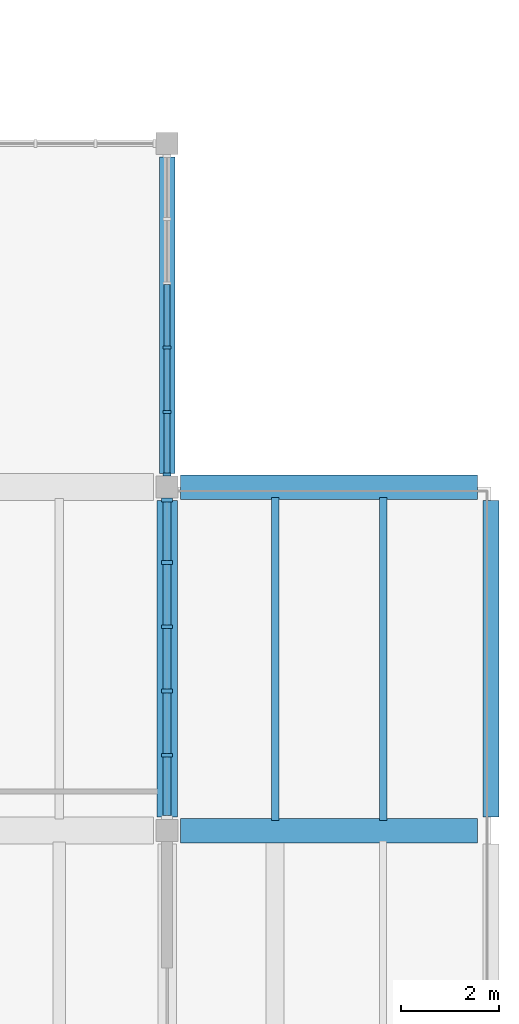
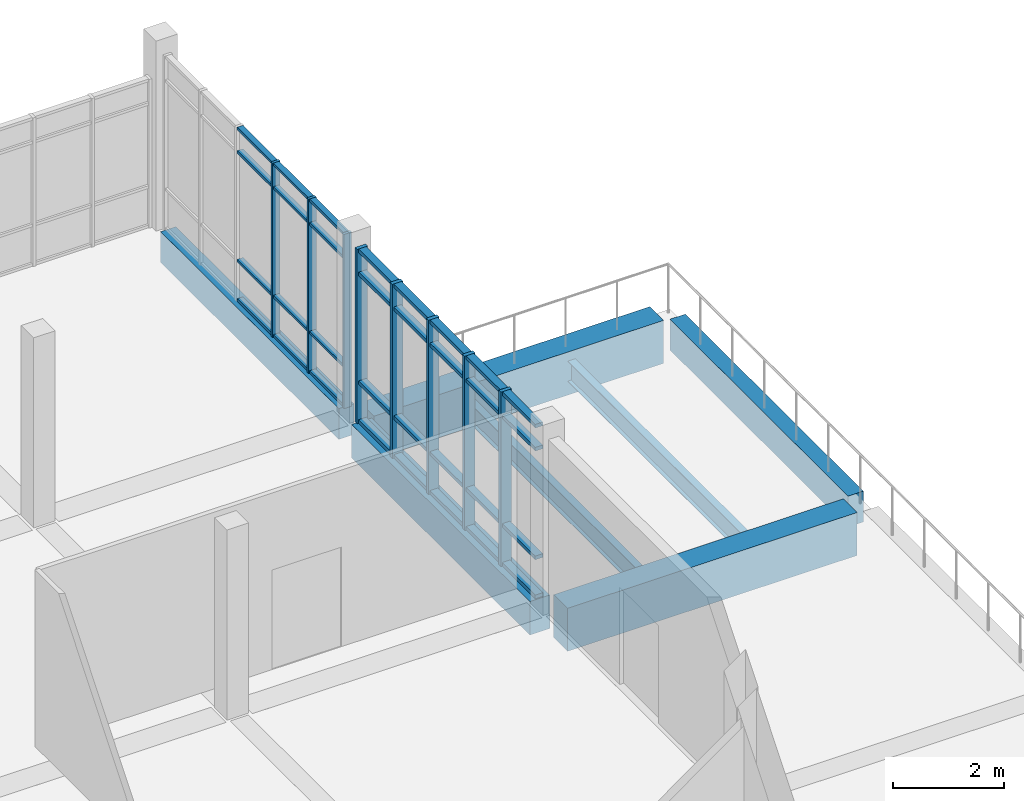
# One storey, part 12 of 92: 40 members, 7 beams, 2 elements without a shape of their own.
"""IFC4 building model written with IfcOpenShell, lengths in metres."""

from ifc_helpers import new_model, si_unit, direction, frame, origin, origin_2d, place, context, subcontext, project, spatial, rectangle, i_section, extrude, material, material_profile, profile_set, type_object, element, aggregate, save


model = new_model("IFC4")

# Units and contexts
model_context = context("Model", 3, precision=1e-05, world=origin(), true_north=direction((0.0, 1.0)))
body_context = subcontext(model_context, "Body", "Model", "MODEL_VIEW")
ifc_project = project(units=[si_unit("LENGTHUNIT", "METRE"), si_unit("AREAUNIT", "SQUARE_METRE"), si_unit("VOLUMEUNIT", "CUBIC_METRE"), si_unit("PLANEANGLEUNIT", "RADIAN"), si_unit("MASSUNIT", "GRAM", prefix="KILO")], contexts=[model_context])

# Site, building, storey
site_placement = place(None, origin())
site = spatial("IfcSite", under=ifc_project, at=site_placement, CompositionType="ELEMENT")
building_placement = place(site_placement, origin())
building = spatial("IfcBuilding", under=site, at=building_placement, Name="Ciguamira Faculty of Natural Sciences", CompositionType="ELEMENT")
storey_placement = place(building_placement, frame((0.0, 0.0, 16.800048828125)))
storey = spatial("IfcBuildingStorey", under=building, at=storey_placement, Name="L04", CompositionType="ELEMENT", Elevation=16.800048828125)

# Curtain wall, members
ifc_material_1 = material(Name="Anodized aluminium curtain wall", Category="aluminium")
curtain_wall_type_1 = type_object("IfcCurtainWallType", Name="CurtainWall_CW-01", PredefinedType="USERDEFINED", material=ifc_material_1)
curtain_wall_1_placement = place(storey_placement, origin())
curtain_wall_1 = element("IfcCurtainWall", 1, at=curtain_wall_1_placement, inside=storey, type_object=curtain_wall_type_1, Name="L04 unitised curtain wall 0133", ObjectType="UNITISED CURTAIN WALL", PredefinedType="USERDEFINED")
ifc_material_2 = material(Name="Anodized aluminium mullion", Category="aluminium")
ifc_material_profile_1 = material_profile(ifc_material_2, rectangle(XDim=0.06005859375, YDim=0.159912109375, at=origin_2d()), Name="ALU-MUL-60X160")
ifc_profile_set_1 = profile_set([ifc_material_profile_1], Name="Anodized aluminium mullion")
member_type_1 = type_object("IfcMemberType", Name="CWMullion_CWM-01", PredefinedType="MULLION", material=ifc_profile_set_1)
member_1_placement = place(storey_placement, frame((116.699951171875, 31.2548828125, 0.0), z_axis=(0.0, 0.0, 1.0), x_axis=(0.0, 1.0, 0.0)))
member_1 = element("IfcMember", 2, at=member_1_placement, type_object=member_type_1, Name="CW-01 mullion 1", PredefinedType="MULLION", context=body_context, shape_type="SweptSolid", body=[
    extrude(rectangle(XDim=0.06005859375, YDim=0.159912109375, at=origin_2d()), origin(), (0.0, 0.0, 1.0), 3.849853515625),
])
member_2_placement = place(storey_placement, frame((116.699951171875, 32.534912109375, 0.0), z_axis=(0.0, 0.0, 1.0), x_axis=(0.0, 1.0, 0.0)))
member_2 = element("IfcMember", 3, at=member_2_placement, type_object=member_type_1, Name="CW-01 mullion 2", PredefinedType="MULLION", context=body_context, shape_type="SweptSolid", body=[
    extrude(rectangle(XDim=0.06005859375, YDim=0.159912109375, at=origin_2d()), origin(), (0.0, 0.0, 1.0), 3.849853515625),
])
member_3_placement = place(storey_placement, frame((116.699951171875, 33.844970703125, 0.0), z_axis=(0.0, 0.0, 1.0), x_axis=(0.0, 1.0, 0.0)))
member_3 = element("IfcMember", 4, at=member_3_placement, type_object=member_type_1, Name="CW-01 mullion 3", PredefinedType="MULLION", context=body_context, shape_type="SweptSolid", body=[
    extrude(rectangle(XDim=0.06005859375, YDim=0.159912109375, at=origin_2d()), origin(), (0.0, 0.0, 1.0), 3.849853515625),
])

curtain_wall_type_2 = type_object("IfcCurtainWallType", Name="CurtainWall_CW-12", PredefinedType="USERDEFINED", material=ifc_material_1)
curtain_wall_2_placement = place(storey_placement, origin())
curtain_wall_2 = element("IfcCurtainWall", 5, at=curtain_wall_2_placement, inside=storey, type_object=curtain_wall_type_2, Name="L04 unitised curtain wall 0132", ObjectType="UNITISED CURTAIN WALL", PredefinedType="USERDEFINED")
ifc_material_profile_2 = material_profile(ifc_material_2, rectangle(XDim=0.080078125, YDim=0.219970703125, at=origin_2d()), Name="ALU-MUL-80X220")
ifc_profile_set_2 = profile_set([ifc_material_profile_2], Name="Anodized aluminium mullion")
member_type_2 = type_object("IfcMemberType", Name="CWMullion_CWM-03", PredefinedType="MULLION", material=ifc_profile_set_2)
member_4_placement = place(storey_placement, frame((116.699951171875, 25.534912109375, 0.0), z_axis=(0.0, 0.0, 1.0), x_axis=(0.0, 1.0, 0.0)))
member_4 = element("IfcMember", 6, at=member_4_placement, type_object=member_type_2, Name="CW-12 mullion 2", PredefinedType="MULLION", context=body_context, shape_type="SweptSolid", body=[
    extrude(rectangle(XDim=0.080078125, YDim=0.219970703125, at=origin_2d()), origin(), (0.0, 0.0, 1.0), 3.849853515625),
])
member_5_placement = place(storey_placement, frame((116.699951171875, 26.844970703125, 0.0), z_axis=(0.0, 0.0, 1.0), x_axis=(0.0, 1.0, 0.0)))
member_5 = element("IfcMember", 7, at=member_5_placement, type_object=member_type_2, Name="CW-12 mullion 3", PredefinedType="MULLION", context=body_context, shape_type="SweptSolid", body=[
    extrude(rectangle(XDim=0.080078125, YDim=0.219970703125, at=origin_2d()), origin(), (0.0, 0.0, 1.0), 3.849853515625),
])
member_6_placement = place(storey_placement, frame((116.699951171875, 28.155029296875, 0.0), z_axis=(0.0, 0.0, 1.0), x_axis=(0.0, 1.0, 0.0)))
member_6 = element("IfcMember", 8, at=member_6_placement, type_object=member_type_2, Name="CW-12 mullion 4", PredefinedType="MULLION", context=body_context, shape_type="SweptSolid", body=[
    extrude(rectangle(XDim=0.080078125, YDim=0.219970703125, at=origin_2d()), origin(), (0.0, 0.0, 1.0), 3.849853515625),
])
member_7_placement = place(storey_placement, frame((116.699951171875, 29.465087890625, 0.0), z_axis=(0.0, 0.0, 1.0), x_axis=(0.0, 1.0, 0.0)))
member_7 = element("IfcMember", 9, at=member_7_placement, type_object=member_type_2, Name="CW-12 mullion 5", PredefinedType="MULLION", context=body_context, shape_type="SweptSolid", body=[
    extrude(rectangle(XDim=0.080078125, YDim=0.219970703125, at=origin_2d()), origin(), (0.0, 0.0, 1.0), 3.849853515625),
])
member_8_placement = place(storey_placement, frame((116.699951171875, 30.735107421875, 0.0), z_axis=(0.0, 0.0, 1.0), x_axis=(0.0, 1.0, 0.0)))
member_8 = element("IfcMember", 10, at=member_8_placement, type_object=member_type_2, Name="CW-12 mullion 6", PredefinedType="MULLION", context=body_context, shape_type="SweptSolid", body=[
    extrude(rectangle(XDim=0.080078125, YDim=0.219970703125, at=origin_2d()), origin(), (0.0, 0.0, 1.0), 3.849853515625),
])

# Member
ifc_material_3 = material(Name="Anodized aluminium transom", Category="aluminium")
ifc_material_profile_3 = material_profile(ifc_material_3, rectangle(XDim=0.06005859375, YDim=0.1201171875, at=origin_2d()), Name="ALU-TRN-60X120")
ifc_profile_set_3 = profile_set([ifc_material_profile_3], Name="Anodized aluminium transom")
member_type_3 = type_object("IfcMemberType", Name="CWTransom_CWT-01", PredefinedType="USERDEFINED", material=ifc_profile_set_3)
member_9_placement = place(storey_placement, frame((116.699951171875, 31.284912109375, 0.030029296875), z_axis=(0.0, 1.0, 0.0), x_axis=(0.0, 0.0, 1.0)))
member_9 = element("IfcMember", 11, at=member_9_placement, type_object=member_type_3, Name="CW-01 transom 1.1", ObjectType="TRANSOM", PredefinedType="USERDEFINED", context=body_context, shape_type="SweptSolid", body=[
    extrude(rectangle(XDim=0.06005859375, YDim=0.1201171875, at=origin_2d()), origin(), (0.0, 0.0, 1.0), 1.219970703125),
])

member_10_placement = place(storey_placement, frame((116.699951171875, 31.284912109375, 0.89990234375), z_axis=(0.0, 1.0, 0.0), x_axis=(0.0, 0.0, 1.0)))
member_10 = element("IfcMember", 12, at=member_10_placement, type_object=member_type_3, Name="CW-01 transom 1.2", ObjectType="TRANSOM", PredefinedType="USERDEFINED", context=body_context, shape_type="SweptSolid", body=[
    extrude(rectangle(XDim=0.06005859375, YDim=0.1201171875, at=origin_2d()), origin(), (0.0, 0.0, 1.0), 1.219970703125),
])

member_11_placement = place(storey_placement, frame((116.699951171875, 31.284912109375, 3.300048828125), z_axis=(0.0, 1.0, 0.0), x_axis=(0.0, 0.0, 1.0)))
member_11 = element("IfcMember", 13, at=member_11_placement, type_object=member_type_3, Name="CW-01 transom 1.3", ObjectType="TRANSOM", PredefinedType="USERDEFINED", context=body_context, shape_type="SweptSolid", body=[
    extrude(rectangle(XDim=0.06005859375, YDim=0.1201171875, at=origin_2d()), origin(), (0.0, 0.0, 1.0), 1.219970703125),
])

member_12_placement = place(storey_placement, frame((116.699951171875, 31.284912109375, 3.820068359375), z_axis=(0.0, 1.0, 0.0), x_axis=(0.0, 0.0, 1.0)))
member_12 = element("IfcMember", 14, at=member_12_placement, type_object=member_type_3, Name="CW-01 transom 1.4", ObjectType="TRANSOM", PredefinedType="USERDEFINED", context=body_context, shape_type="SweptSolid", body=[
    extrude(rectangle(XDim=0.06005859375, YDim=0.1201171875, at=origin_2d()), origin(), (0.0, 0.0, 1.0), 1.219970703125),
])

member_13_placement = place(storey_placement, frame((116.699951171875, 32.56494140625, 0.030029296875), z_axis=(0.0, 1.0, 0.0), x_axis=(0.0, 0.0, 1.0)))
member_13 = element("IfcMember", 15, at=member_13_placement, type_object=member_type_3, Name="CW-01 transom 2.1", ObjectType="TRANSOM", PredefinedType="USERDEFINED", context=body_context, shape_type="SweptSolid", body=[
    extrude(rectangle(XDim=0.06005859375, YDim=0.1201171875, at=origin_2d()), origin(), (0.0, 0.0, 1.0), 1.25),
])

member_14_placement = place(storey_placement, frame((116.699951171875, 32.56494140625, 0.89990234375), z_axis=(0.0, 1.0, 0.0), x_axis=(0.0, 0.0, 1.0)))
member_14 = element("IfcMember", 16, at=member_14_placement, type_object=member_type_3, Name="CW-01 transom 2.2", ObjectType="TRANSOM", PredefinedType="USERDEFINED", context=body_context, shape_type="SweptSolid", body=[
    extrude(rectangle(XDim=0.06005859375, YDim=0.1201171875, at=origin_2d()), origin(), (0.0, 0.0, 1.0), 1.25),
])

member_15_placement = place(storey_placement, frame((116.699951171875, 32.56494140625, 3.300048828125), z_axis=(0.0, 1.0, 0.0), x_axis=(0.0, 0.0, 1.0)))
member_15 = element("IfcMember", 17, at=member_15_placement, type_object=member_type_3, Name="CW-01 transom 2.3", ObjectType="TRANSOM", PredefinedType="USERDEFINED", context=body_context, shape_type="SweptSolid", body=[
    extrude(rectangle(XDim=0.06005859375, YDim=0.1201171875, at=origin_2d()), origin(), (0.0, 0.0, 1.0), 1.25),
])

member_16_placement = place(storey_placement, frame((116.699951171875, 32.56494140625, 3.820068359375), z_axis=(0.0, 1.0, 0.0), x_axis=(0.0, 0.0, 1.0)))
member_16 = element("IfcMember", 18, at=member_16_placement, type_object=member_type_3, Name="CW-01 transom 2.4", ObjectType="TRANSOM", PredefinedType="USERDEFINED", context=body_context, shape_type="SweptSolid", body=[
    extrude(rectangle(XDim=0.06005859375, YDim=0.1201171875, at=origin_2d()), origin(), (0.0, 0.0, 1.0), 1.25),
])

member_17_placement = place(storey_placement, frame((116.699951171875, 33.875, 0.030029296875), z_axis=(0.0, 1.0, 0.0), x_axis=(0.0, 0.0, 1.0)))
member_17 = element("IfcMember", 19, at=member_17_placement, type_object=member_type_3, Name="CW-01 transom 3.1", ObjectType="TRANSOM", PredefinedType="USERDEFINED", context=body_context, shape_type="SweptSolid", body=[
    extrude(rectangle(XDim=0.06005859375, YDim=0.1201171875, at=origin_2d()), origin(), (0.0, 0.0, 1.0), 1.25),
])

member_18_placement = place(storey_placement, frame((116.699951171875, 33.875, 0.89990234375), z_axis=(0.0, 1.0, 0.0), x_axis=(0.0, 0.0, 1.0)))
member_18 = element("IfcMember", 20, at=member_18_placement, type_object=member_type_3, Name="CW-01 transom 3.2", ObjectType="TRANSOM", PredefinedType="USERDEFINED", context=body_context, shape_type="SweptSolid", body=[
    extrude(rectangle(XDim=0.06005859375, YDim=0.1201171875, at=origin_2d()), origin(), (0.0, 0.0, 1.0), 1.25),
])

member_19_placement = place(storey_placement, frame((116.699951171875, 33.875, 3.300048828125), z_axis=(0.0, 1.0, 0.0), x_axis=(0.0, 0.0, 1.0)))
member_19 = element("IfcMember", 21, at=member_19_placement, type_object=member_type_3, Name="CW-01 transom 3.3", ObjectType="TRANSOM", PredefinedType="USERDEFINED", context=body_context, shape_type="SweptSolid", body=[
    extrude(rectangle(XDim=0.06005859375, YDim=0.1201171875, at=origin_2d()), origin(), (0.0, 0.0, 1.0), 1.25),
])

member_20_placement = place(storey_placement, frame((116.699951171875, 33.875, 3.820068359375), z_axis=(0.0, 1.0, 0.0), x_axis=(0.0, 0.0, 1.0)))
member_20 = element("IfcMember", 22, at=member_20_placement, type_object=member_type_3, Name="CW-01 transom 3.4", ObjectType="TRANSOM", PredefinedType="USERDEFINED", context=body_context, shape_type="SweptSolid", body=[
    extrude(rectangle(XDim=0.06005859375, YDim=0.1201171875, at=origin_2d()), origin(), (0.0, 0.0, 1.0), 1.25),
])

aggregate(curtain_wall_1, [member_1, member_2, member_3, member_9, member_10, member_11, member_12, member_13, member_14, member_15, member_16, member_17, member_18, member_19, member_20])

ifc_material_profile_4 = material_profile(ifc_material_3, rectangle(XDim=0.080078125, YDim=0.159912109375, at=origin_2d()), Name="ALU-TRN-80X160")
ifc_profile_set_4 = profile_set([ifc_material_profile_4], Name="Anodized aluminium transom")
member_type_4 = type_object("IfcMemberType", Name="CWTransom_CWT-03", PredefinedType="USERDEFINED", material=ifc_profile_set_4)
member_21_placement = place(storey_placement, frame((116.699951171875, 24.304931640625, 0.0400390625), z_axis=(0.0, 1.0, 0.0), x_axis=(0.0, 0.0, 1.0)))
member_21 = element("IfcMember", 23, at=member_21_placement, type_object=member_type_4, Name="CW-12 transom 1.1", ObjectType="TRANSOM", PredefinedType="USERDEFINED", context=body_context, shape_type="SweptSolid", body=[
    extrude(rectangle(XDim=0.080078125, YDim=0.159912109375, at=origin_2d()), origin(), (0.0, 0.0, 1.0), 1.190185546875),
])

member_22_placement = place(storey_placement, frame((116.699951171875, 24.304931640625, 0.89990234375), z_axis=(0.0, 1.0, 0.0), x_axis=(0.0, 0.0, 1.0)))
member_22 = element("IfcMember", 24, at=member_22_placement, type_object=member_type_4, Name="CW-12 transom 1.2", ObjectType="TRANSOM", PredefinedType="USERDEFINED", context=body_context, shape_type="SweptSolid", body=[
    extrude(rectangle(XDim=0.080078125, YDim=0.159912109375, at=origin_2d()), origin(), (0.0, 0.0, 1.0), 1.190185546875),
])

member_23_placement = place(storey_placement, frame((116.699951171875, 24.304931640625, 3.300048828125), z_axis=(0.0, 1.0, 0.0), x_axis=(0.0, 0.0, 1.0)))
member_23 = element("IfcMember", 25, at=member_23_placement, type_object=member_type_4, Name="CW-12 transom 1.3", ObjectType="TRANSOM", PredefinedType="USERDEFINED", context=body_context, shape_type="SweptSolid", body=[
    extrude(rectangle(XDim=0.080078125, YDim=0.159912109375, at=origin_2d()), origin(), (0.0, 0.0, 1.0), 1.190185546875),
])

member_24_placement = place(storey_placement, frame((116.699951171875, 24.304931640625, 3.81005859375), z_axis=(0.0, 1.0, 0.0), x_axis=(0.0, 0.0, 1.0)))
member_24 = element("IfcMember", 26, at=member_24_placement, type_object=member_type_4, Name="CW-12 transom 1.4", ObjectType="TRANSOM", PredefinedType="USERDEFINED", context=body_context, shape_type="SweptSolid", body=[
    extrude(rectangle(XDim=0.080078125, YDim=0.159912109375, at=origin_2d()), origin(), (0.0, 0.0, 1.0), 1.190185546875),
])

member_25_placement = place(storey_placement, frame((116.699951171875, 25.574951171875, 0.0400390625), z_axis=(0.0, 1.0, 0.0), x_axis=(0.0, 0.0, 1.0)))
member_25 = element("IfcMember", 27, at=member_25_placement, type_object=member_type_4, Name="CW-12 transom 2.1", ObjectType="TRANSOM", PredefinedType="USERDEFINED", context=body_context, shape_type="SweptSolid", body=[
    extrude(rectangle(XDim=0.080078125, YDim=0.159912109375, at=origin_2d()), origin(), (0.0, 0.0, 1.0), 1.22998046875),
])

member_26_placement = place(storey_placement, frame((116.699951171875, 25.574951171875, 0.89990234375), z_axis=(0.0, 1.0, 0.0), x_axis=(0.0, 0.0, 1.0)))
member_26 = element("IfcMember", 28, at=member_26_placement, type_object=member_type_4, Name="CW-12 transom 2.2", ObjectType="TRANSOM", PredefinedType="USERDEFINED", context=body_context, shape_type="SweptSolid", body=[
    extrude(rectangle(XDim=0.080078125, YDim=0.159912109375, at=origin_2d()), origin(), (0.0, 0.0, 1.0), 1.22998046875),
])

member_27_placement = place(storey_placement, frame((116.699951171875, 25.574951171875, 3.300048828125), z_axis=(0.0, 1.0, 0.0), x_axis=(0.0, 0.0, 1.0)))
member_27 = element("IfcMember", 29, at=member_27_placement, type_object=member_type_4, Name="CW-12 transom 2.3", ObjectType="TRANSOM", PredefinedType="USERDEFINED", context=body_context, shape_type="SweptSolid", body=[
    extrude(rectangle(XDim=0.080078125, YDim=0.159912109375, at=origin_2d()), origin(), (0.0, 0.0, 1.0), 1.22998046875),
])

member_28_placement = place(storey_placement, frame((116.699951171875, 25.574951171875, 3.81005859375), z_axis=(0.0, 1.0, 0.0), x_axis=(0.0, 0.0, 1.0)))
member_28 = element("IfcMember", 30, at=member_28_placement, type_object=member_type_4, Name="CW-12 transom 2.4", ObjectType="TRANSOM", PredefinedType="USERDEFINED", context=body_context, shape_type="SweptSolid", body=[
    extrude(rectangle(XDim=0.080078125, YDim=0.159912109375, at=origin_2d()), origin(), (0.0, 0.0, 1.0), 1.22998046875),
])

member_29_placement = place(storey_placement, frame((116.699951171875, 26.885009765625, 0.0400390625), z_axis=(0.0, 1.0, 0.0), x_axis=(0.0, 0.0, 1.0)))
member_29 = element("IfcMember", 31, at=member_29_placement, type_object=member_type_4, Name="CW-12 transom 3.1", ObjectType="TRANSOM", PredefinedType="USERDEFINED", context=body_context, shape_type="SweptSolid", body=[
    extrude(rectangle(XDim=0.080078125, YDim=0.159912109375, at=origin_2d()), origin(), (0.0, 0.0, 1.0), 1.22998046875),
])

member_30_placement = place(storey_placement, frame((116.699951171875, 26.885009765625, 0.89990234375), z_axis=(0.0, 1.0, 0.0), x_axis=(0.0, 0.0, 1.0)))
member_30 = element("IfcMember", 32, at=member_30_placement, type_object=member_type_4, Name="CW-12 transom 3.2", ObjectType="TRANSOM", PredefinedType="USERDEFINED", context=body_context, shape_type="SweptSolid", body=[
    extrude(rectangle(XDim=0.080078125, YDim=0.159912109375, at=origin_2d()), origin(), (0.0, 0.0, 1.0), 1.22998046875),
])

member_31_placement = place(storey_placement, frame((116.699951171875, 26.885009765625, 3.300048828125), z_axis=(0.0, 1.0, 0.0), x_axis=(0.0, 0.0, 1.0)))
member_31 = element("IfcMember", 33, at=member_31_placement, type_object=member_type_4, Name="CW-12 transom 3.3", ObjectType="TRANSOM", PredefinedType="USERDEFINED", context=body_context, shape_type="SweptSolid", body=[
    extrude(rectangle(XDim=0.080078125, YDim=0.159912109375, at=origin_2d()), origin(), (0.0, 0.0, 1.0), 1.22998046875),
])

member_32_placement = place(storey_placement, frame((116.699951171875, 26.885009765625, 3.81005859375), z_axis=(0.0, 1.0, 0.0), x_axis=(0.0, 0.0, 1.0)))
member_32 = element("IfcMember", 34, at=member_32_placement, type_object=member_type_4, Name="CW-12 transom 3.4", ObjectType="TRANSOM", PredefinedType="USERDEFINED", context=body_context, shape_type="SweptSolid", body=[
    extrude(rectangle(XDim=0.080078125, YDim=0.159912109375, at=origin_2d()), origin(), (0.0, 0.0, 1.0), 1.22998046875),
])

member_33_placement = place(storey_placement, frame((116.699951171875, 28.195068359375, 0.0400390625), z_axis=(0.0, 1.0, 0.0), x_axis=(0.0, 0.0, 1.0)))
member_33 = element("IfcMember", 35, at=member_33_placement, type_object=member_type_4, Name="CW-12 transom 4.1", ObjectType="TRANSOM", PredefinedType="USERDEFINED", context=body_context, shape_type="SweptSolid", body=[
    extrude(rectangle(XDim=0.080078125, YDim=0.159912109375, at=origin_2d()), origin(), (0.0, 0.0, 1.0), 1.22998046875),
])

member_34_placement = place(storey_placement, frame((116.699951171875, 28.195068359375, 0.89990234375), z_axis=(0.0, 1.0, 0.0), x_axis=(0.0, 0.0, 1.0)))
member_34 = element("IfcMember", 36, at=member_34_placement, type_object=member_type_4, Name="CW-12 transom 4.2", ObjectType="TRANSOM", PredefinedType="USERDEFINED", context=body_context, shape_type="SweptSolid", body=[
    extrude(rectangle(XDim=0.080078125, YDim=0.159912109375, at=origin_2d()), origin(), (0.0, 0.0, 1.0), 1.22998046875),
])

member_35_placement = place(storey_placement, frame((116.699951171875, 28.195068359375, 3.300048828125), z_axis=(0.0, 1.0, 0.0), x_axis=(0.0, 0.0, 1.0)))
member_35 = element("IfcMember", 37, at=member_35_placement, type_object=member_type_4, Name="CW-12 transom 4.3", ObjectType="TRANSOM", PredefinedType="USERDEFINED", context=body_context, shape_type="SweptSolid", body=[
    extrude(rectangle(XDim=0.080078125, YDim=0.159912109375, at=origin_2d()), origin(), (0.0, 0.0, 1.0), 1.22998046875),
])

member_36_placement = place(storey_placement, frame((116.699951171875, 28.195068359375, 3.81005859375), z_axis=(0.0, 1.0, 0.0), x_axis=(0.0, 0.0, 1.0)))
member_36 = element("IfcMember", 38, at=member_36_placement, type_object=member_type_4, Name="CW-12 transom 4.4", ObjectType="TRANSOM", PredefinedType="USERDEFINED", context=body_context, shape_type="SweptSolid", body=[
    extrude(rectangle(XDim=0.080078125, YDim=0.159912109375, at=origin_2d()), origin(), (0.0, 0.0, 1.0), 1.22998046875),
])

member_37_placement = place(storey_placement, frame((116.699951171875, 29.5048828125, 0.0400390625), z_axis=(0.0, 1.0, 0.0), x_axis=(0.0, 0.0, 1.0)))
member_37 = element("IfcMember", 39, at=member_37_placement, type_object=member_type_4, Name="CW-12 transom 5.1", ObjectType="TRANSOM", PredefinedType="USERDEFINED", context=body_context, shape_type="SweptSolid", body=[
    extrude(rectangle(XDim=0.080078125, YDim=0.159912109375, at=origin_2d()), origin(), (0.0, 0.0, 1.0), 1.190185546875),
])

member_38_placement = place(storey_placement, frame((116.699951171875, 29.5048828125, 0.89990234375), z_axis=(0.0, 1.0, 0.0), x_axis=(0.0, 0.0, 1.0)))
member_38 = element("IfcMember", 40, at=member_38_placement, type_object=member_type_4, Name="CW-12 transom 5.2", ObjectType="TRANSOM", PredefinedType="USERDEFINED", context=body_context, shape_type="SweptSolid", body=[
    extrude(rectangle(XDim=0.080078125, YDim=0.159912109375, at=origin_2d()), origin(), (0.0, 0.0, 1.0), 1.190185546875),
])

member_39_placement = place(storey_placement, frame((116.699951171875, 29.5048828125, 3.300048828125), z_axis=(0.0, 1.0, 0.0), x_axis=(0.0, 0.0, 1.0)))
member_39 = element("IfcMember", 41, at=member_39_placement, type_object=member_type_4, Name="CW-12 transom 5.3", ObjectType="TRANSOM", PredefinedType="USERDEFINED", context=body_context, shape_type="SweptSolid", body=[
    extrude(rectangle(XDim=0.080078125, YDim=0.159912109375, at=origin_2d()), origin(), (0.0, 0.0, 1.0), 1.190185546875),
])

member_40_placement = place(storey_placement, frame((116.699951171875, 29.5048828125, 3.81005859375), z_axis=(0.0, 1.0, 0.0), x_axis=(0.0, 0.0, 1.0)))
member_40 = element("IfcMember", 42, at=member_40_placement, type_object=member_type_4, Name="CW-12 transom 5.4", ObjectType="TRANSOM", PredefinedType="USERDEFINED", context=body_context, shape_type="SweptSolid", body=[
    extrude(rectangle(XDim=0.080078125, YDim=0.159912109375, at=origin_2d()), origin(), (0.0, 0.0, 1.0), 1.190185546875),
])

aggregate(curtain_wall_2, [member_4, member_5, member_6, member_7, member_8, member_21, member_22, member_23, member_24, member_25, member_26, member_27, member_28, member_29, member_30, member_31, member_32, member_33, member_34, member_35, member_36, member_37, member_38, member_39, member_40])

# Beams
ifc_material_4 = material(Name="Concrete C40/50", Category="concrete")
ifc_material_profile_5 = material_profile(ifc_material_4, rectangle(XDim=0.5, YDim=0.949951171875, at=origin_2d()), Name="RC-BM-500X950")
ifc_profile_set_5 = profile_set([ifc_material_profile_5], Name="Concrete C40/50")
beam_type_1 = type_object("IfcBeamType", Name="RCBeam_BG-02_RC-BM-500X950", PredefinedType="BEAM", material=ifc_profile_set_5)
for number, where, z_axis, x_axis, name in (
    (43, (116.97509765625, 24.0, -0.47509765625), (1.0, 0.0, 0.0), (0.0, 1.0, 0.0), "L04 RC girder EW-1350"),
    (44, (116.97509765625, 31.0, -0.47509765625), (1.0, 0.0, 0.0), (0.0, 1.0, 0.0), "L04 RC girder EW-1361"),
):
    element("IfcBeam", number, at=place(storey_placement, frame(where, z_axis=z_axis, x_axis=x_axis)), inside=storey, type_object=beam_type_1, Name=name, PredefinedType="BEAM", context=body_context, shape_type="SweptSolid", body=[
        extrude(rectangle(XDim=0.5, YDim=0.949951171875, at=origin_2d()), origin(), (0.0, 0.0, 1.0), 6.0498046875),
    ])
ifc_material_profile_6 = material_profile(ifc_material_4, rectangle(XDim=0.419921875, YDim=0.739990234375, at=origin_2d()), Name="RC-BM-420X740")
ifc_profile_set_6 = profile_set([ifc_material_profile_6], Name="Concrete C40/50")
beam_type_2 = type_object("IfcBeamType", Name="RCBeam_BG-07_RC-BM-420X740", PredefinedType="BEAM", material=ifc_profile_set_6)
beam_1_placement = place(storey_placement, frame((116.699951171875, 24.27490234375, -0.3701171875), z_axis=(0.0, 1.0, 0.0), x_axis=(-1.0, 0.0, 0.0)))
element("IfcBeam", 45, at=beam_1_placement, inside=storey, type_object=beam_type_2, Name="L04 girder NS-1436", PredefinedType="BEAM", context=body_context, shape_type="SweptSolid", body=[
    extrude(rectangle(XDim=0.419921875, YDim=0.739990234375, at=origin_2d()), origin(), (0.0, 0.0, 1.0), 6.4501953125),
])
ifc_material_5 = material(Name="Precast concrete C40/50", Category="concrete")
ifc_material_profile_7 = material_profile(ifc_material_5, rectangle(XDim=0.320068359375, YDim=0.679931640625, at=origin_2d()), Name="RC-SP-320X680")
ifc_profile_set_7 = profile_set([ifc_material_profile_7], Name="Precast concrete C40/50")
beam_type_3 = type_object("IfcBeamType", Name="RCBeam_SP-02_RC-SP-320X680", PredefinedType="SPANDREL", material=ifc_profile_set_7)
for number, where, z_axis, x_axis, name in (
    (46, (116.699951171875, 31.27490234375, -0.340087890625), (0.0, 1.0, 0.0), (-1.0, 0.0, 0.0), "L04 girder NS-1437"),
    (47, (123.300048828125, 24.27490234375, -0.340087890625), (0.0, 1.0, 0.0), (-1.0, 0.0, 0.0), "L04 girder NS-1440"),
):
    element("IfcBeam", number, at=place(storey_placement, frame(where, z_axis=z_axis, x_axis=x_axis)), inside=storey, type_object=beam_type_3, Name=name, PredefinedType="SPANDREL", context=body_context, shape_type="SweptSolid", body=[
        extrude(rectangle(XDim=0.320068359375, YDim=0.679931640625, at=origin_2d()), origin(), (0.0, 0.0, 1.0), 6.4501953125),
    ])
ifc_material_6 = material(Name="Steel ASTM A992 Grade 50", Category="steel")
ifc_material_profile_8 = material_profile(ifc_material_6, i_section(OverallWidth=0.15234375, OverallDepth=0.449462890625, WebThickness=0.007568359375, FlangeThickness=0.0107421875, at=origin_2d()), Name="W18X35")
ifc_profile_set_8 = profile_set([ifc_material_profile_8], Name="Steel ASTM A992 Grade 50")
beam_type_4 = type_object("IfcBeamType", Name="SteelJoist_SJ-21_W18X35", PredefinedType="JOIST", material=ifc_profile_set_8)
beam_2_placement = place(storey_placement, frame((118.89990234375, 24.2099609375, -0.4248046875), z_axis=(0.0, 1.0, 0.0), x_axis=(-1.0, 0.0, 0.0)))
element("IfcBeam", 48, at=beam_2_placement, inside=storey, type_object=beam_type_4, Name="L04 composite steel joist 01340", PredefinedType="JOIST", context=body_context, shape_type="SweptSolid", body=[
    extrude(i_section(OverallWidth=0.15234375, OverallDepth=0.449462890625, WebThickness=0.007568359375, FlangeThickness=0.0107421875, at=origin_2d()), origin(), (0.0, 0.0, 1.0), 6.580078125),
])
ifc_material_profile_9 = material_profile(ifc_material_6, i_section(OverallWidth=0.15283203125, OverallDepth=0.45458984375, WebThickness=0.008056640625, FlangeThickness=0.013427734375, at=origin_2d()), Name="W18X40")
ifc_profile_set_9 = profile_set([ifc_material_profile_9], Name="Steel ASTM A992 Grade 50")
beam_type_5 = type_object("IfcBeamType", Name="SteelJoist_SJ-22_W18X40", PredefinedType="JOIST", material=ifc_profile_set_9)
beam_3_placement = place(storey_placement, frame((121.10009765625, 24.2099609375, -0.42724609375), z_axis=(0.0, 1.0, 0.0), x_axis=(-1.0, 0.0, 0.0)))
element("IfcBeam", 49, at=beam_3_placement, inside=storey, type_object=beam_type_5, Name="L04 composite steel joist 01341", PredefinedType="JOIST", context=body_context, shape_type="SweptSolid", body=[
    extrude(i_section(OverallWidth=0.15283203125, OverallDepth=0.45458984375, WebThickness=0.008056640625, FlangeThickness=0.013427734375, at=origin_2d()), origin(), (0.0, 0.0, 1.0), 6.580078125),
])

save(model, "model.ifc")
